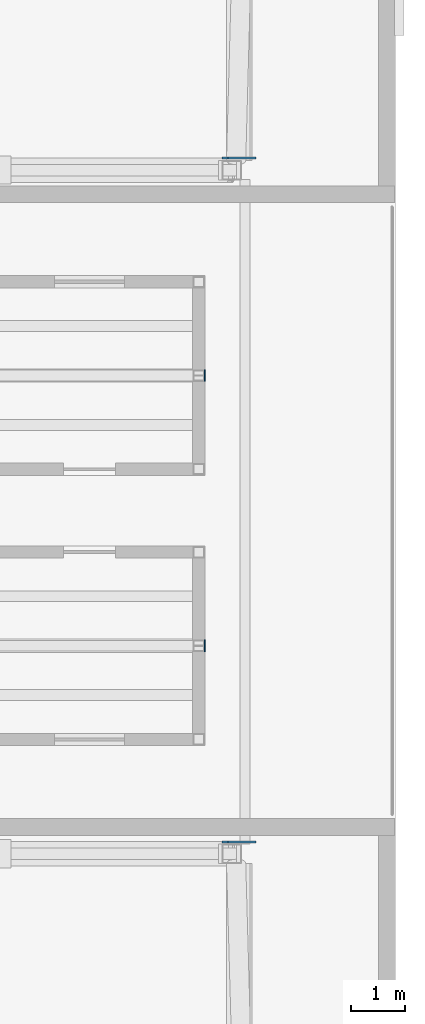
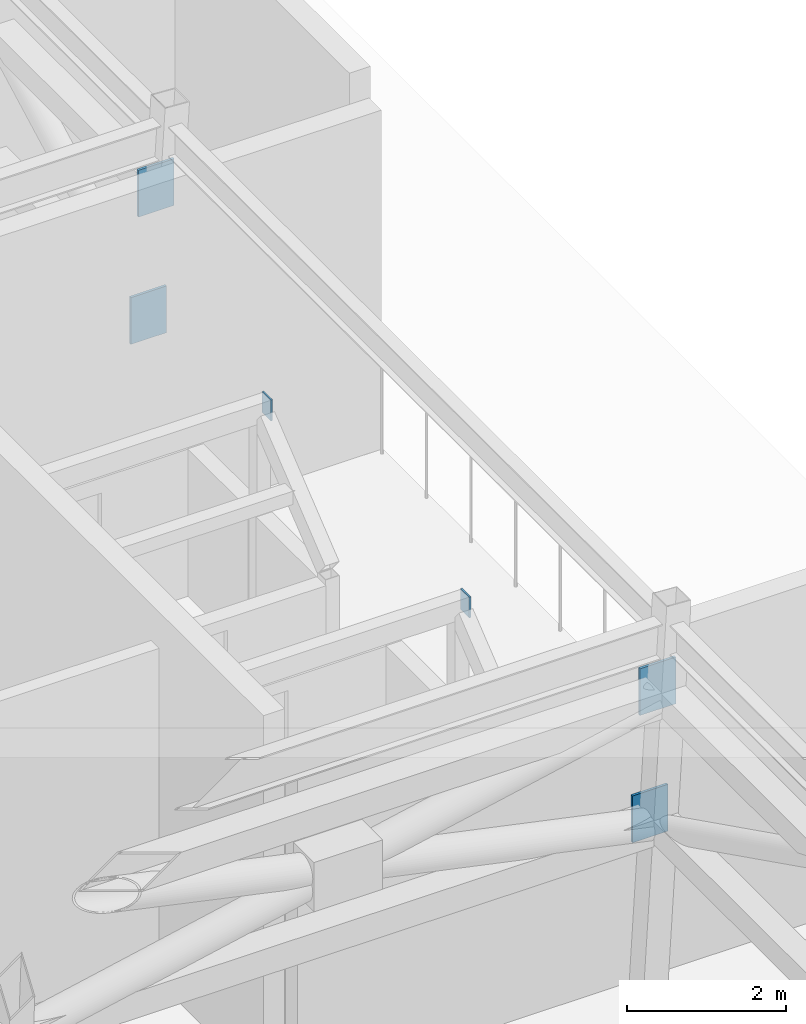
# One storey, part 8 of 12: 6 plates.
"""IFC4 building model written with IfcOpenShell, lengths in metres."""

from ifc_helpers import new_model, si_unit, direction, frame, origin, origin_2d, place, context, subcontext, project, spatial, rectangle, extrude, material, layer, layer_set, type_object, element, save


model = new_model("IFC4")

# Units and contexts
model_context = context("Model", 3, precision=1e-05, world=origin(), true_north=direction((0.0, 1.0)))
body_context = subcontext(model_context, "Body", "Model", "MODEL_VIEW")
ifc_project = project(units=[si_unit("LENGTHUNIT", "METRE"), si_unit("AREAUNIT", "SQUARE_METRE"), si_unit("VOLUMEUNIT", "CUBIC_METRE"), si_unit("PLANEANGLEUNIT", "RADIAN"), si_unit("MASSUNIT", "GRAM", prefix="KILO")], contexts=[model_context])

# Site, building, storey
site_placement = place(None, origin())
site = spatial("IfcSite", under=ifc_project, at=site_placement, CompositionType="ELEMENT")
building_placement = place(site_placement, origin())
building = spatial("IfcBuilding", under=site, at=building_placement, Name="Ochreholt Gables", CompositionType="ELEMENT")
storey_placement = place(building_placement, frame((0.0, 0.0, 287.0)))
storey = spatial("IfcBuildingStorey", under=building, at=storey_placement, Name="L75", CompositionType="ELEMENT", Elevation=287.0)

# Plates
ifc_material = material(Name="Steel CSA G40.21 350W", Category="steel")
ifc_layer_1 = layer(ifc_material, 0.02490234375, Name="Steel CSA G40.21 350W")
ifc_layer_set_1 = layer_set([ifc_layer_1], Name="Steel CSA G40.21 350W")
plate_type_1 = type_object("IfcPlateType", Name="PL-ECP", PredefinedType="USERDEFINED", material=ifc_layer_set_1)
for number, where, z_axis, x_axis, name in (
    (1, (58.8720703125, 21.39990234375, 3.67333984375), (0.0, 0.0, 1.0), (1.0, 0.0, 0.0), "L75 Gable Ridge Welded End Cap Plate GB-75C1-E"),
    (2, (58.8720703125, 26.39990234375, 3.67333984375), (0.0, 0.0, 1.0), (1.0, 0.0, 0.0), "L75 Gable Ridge Welded End Cap Plate GB-75C2-E"),
):
    element("IfcPlate", number, at=place(storey_placement, frame(where, z_axis=z_axis, x_axis=x_axis)), inside=storey, type_object=plate_type_1, Name=name, ObjectType="END CAP PLATE", PredefinedType="USERDEFINED", context=body_context, shape_type="SweptSolid", body=[
        extrude(rectangle(XDim=0.02490234375, YDim=0.219970703125, at=origin_2d()), origin(), (0.0, 0.0, 1.0), 0.320068359375),
    ])
ifc_layer_2 = layer(ifc_material, 0.0380859375, Name="Steel CSA G40.21 350W")
ifc_layer_set_2 = layer_set([ifc_layer_2], Name="Steel CSA G40.21 350W")
plate_type_2 = type_object("IfcPlateType", Name="PLT-GUSSET-38", PredefinedType="USERDEFINED", material=ifc_layer_set_2)
for number, where, z_axis, x_axis, name in (
    (3, (59.45361328125, 17.771484375, 2.240234375), (0.0, 0.0, 1.0), (1.0, 0.0, 0.0), "L75 Outrigger End Gusset Plate SE1"),
    (4, (59.56494140625, 17.771484375, 4.16015625), (0.0, 0.0, 1.0), (1.0, 0.0, 0.0), "L75 Outrigger End Gusset Plate SE2"),
    (5, (59.45361328125, 30.421630859375, 2.240234375), (0.0, 0.0, 1.0), (1.0, 0.0, 0.0), "L75 Outrigger End Gusset Plate NE1"),
    (6, (59.56494140625, 30.421630859375, 4.16015625), (0.0, 0.0, 1.0), (1.0, 0.0, 0.0), "L75 Outrigger End Gusset Plate NE2"),
):
    element("IfcPlate", number, at=place(storey_placement, frame(where, z_axis=z_axis, x_axis=x_axis)), inside=storey, type_object=plate_type_2, Name=name, ObjectType="GUSSET PLATE", PredefinedType="USERDEFINED", context=body_context, shape_type="SweptSolid", body=[
        extrude(rectangle(XDim=0.52001953125, YDim=0.0380859375, at=origin_2d()), origin(), (0.0, 0.0, 1.0), 0.719970703125),
    ])

save(model, "model.ifc")
